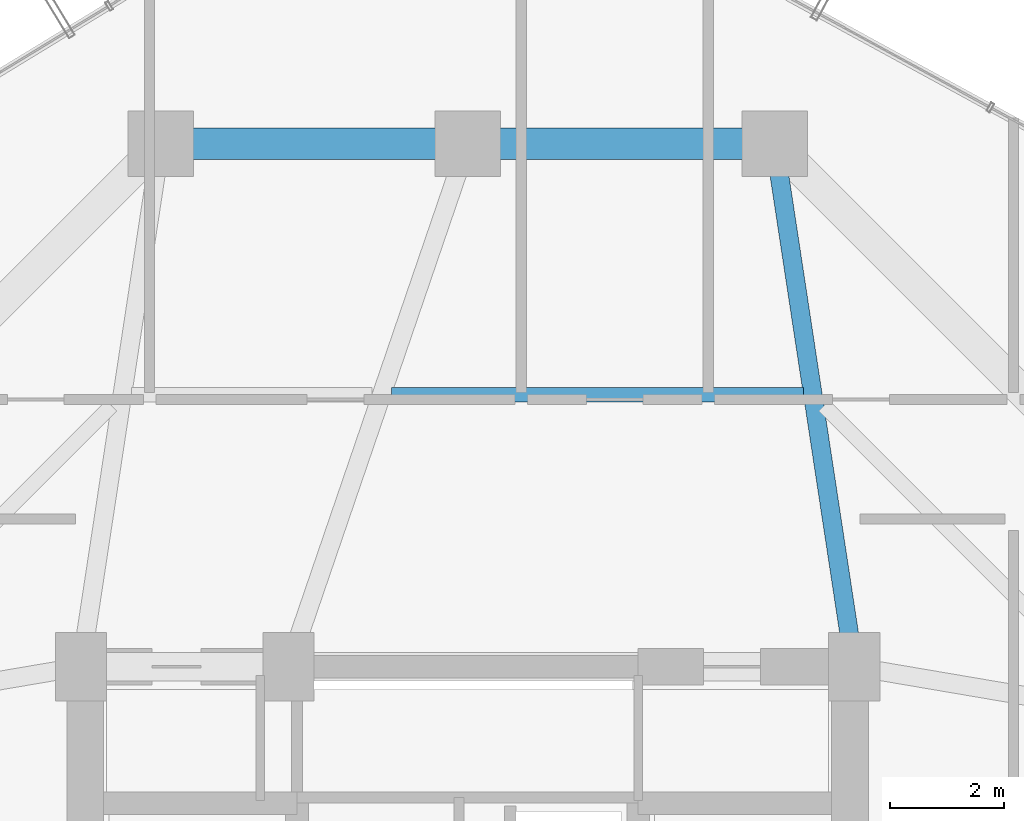
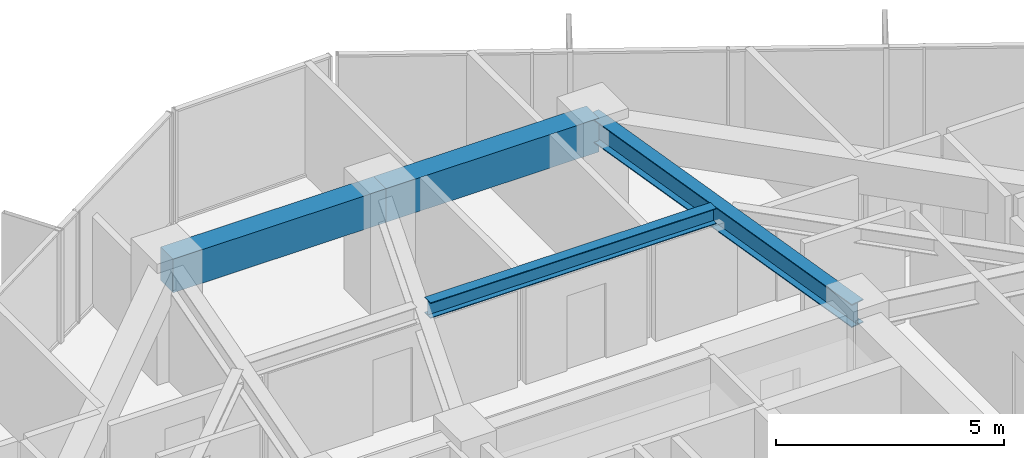
# One storey, part 20 of 31: 4 beams.
"""IFC4 building model written with IfcOpenShell, lengths in metres."""

import ifcopenshell
import ifcopenshell.guid

model = None  # the IFC model being written
_history = None  # IfcOwnerHistory: only IFC2X3 demands one
_inside = {}  # id of a spatial element -> (the spatial element, [elements in it])
_under = {}  # id of a project, library or spatial element -> (it, [spatial elements below it])
_declared = {}  # id of a project -> (the project, [libraries it declares])
_typed = {}  # id of a type object -> (the type object, [elements of that type])
_made_of = {}  # id of a material, layer set ... -> (it, [elements and type objects made of it])


def new_model(schema):
    """Start an empty IFC model of exactly this schema.

    Asked for "IFC4X3", IfcOpenShell would pick the latest addendum, in which some entities
    have other attributes; the version numbers below select the first issue.
    IFC2X3 requires an IfcOwnerHistory on every rooted entity: one is made here for all.
    """
    global model, _history
    if schema == "IFC4X3":
        model = ifcopenshell.file(schema_version=(4, 3, 0, 0))
    else:
        model = ifcopenshell.file(schema=schema)
    _inside.clear()
    _under.clear()
    _declared.clear()
    _typed.clear()
    _made_of.clear()
    _history = None
    if model.schema == "IFC2X3":
        org = make("IfcOrganization", Name="unknown")
        user = make(
            "IfcPersonAndOrganization",
            ThePerson=make("IfcPerson", FamilyName="unknown"),
            TheOrganization=org,
        )
        app = make(
            "IfcApplication",
            ApplicationDeveloper=org,
            Version="unknown",
            ApplicationFullName="unknown",
            ApplicationIdentifier="unknown",
        )
        _history = make(
            "IfcOwnerHistory",
            OwningUser=user,
            OwningApplication=app,
            ChangeAction="ADDED",
            CreationDate=0,
        )
    return model


def make(cls, **values):
    """One entity of the class cls with the attributes given. An attribute that is None is left unset."""
    return model.create_entity(
        cls, **{name: value for name, value in values.items() if value is not None}
    )


def rooted(cls, **values):
    """An entity with a GlobalId (a new one), such as an element, a storey or a relation."""
    return make(cls, GlobalId=ifcopenshell.guid.new(), OwnerHistory=_history, **values)


def si_unit(unit_type, name, prefix=None):
    """IfcSIUnit, for example si_unit("LENGTHUNIT", "METRE", prefix="MILLI")."""
    return make("IfcSIUnit", UnitType=unit_type, Prefix=prefix, Name=name)


def assignment(units):
    """IfcUnitAssignment: the units of a project."""
    return None if units is None else make("IfcUnitAssignment", Units=units)


def point(xyz):
    """IfcCartesianPoint."""
    return None if xyz is None else make("IfcCartesianPoint", Coordinates=xyz)


def direction(xyz):
    """IfcDirection."""
    return None if xyz is None else make("IfcDirection", DirectionRatios=xyz)


def frame(location, z_axis=None, x_axis=None):
    """IfcAxis2Placement3D, a coordinate frame: its origin and axes. An axis left out is left unset."""
    return make(
        "IfcAxis2Placement3D",
        Location=point(location),
        Axis=direction(z_axis),
        RefDirection=direction(x_axis),
    )


def frame_2d(location, x_axis=None):
    """IfcAxis2Placement2D, a coordinate frame in the plane: its origin and x axis."""
    return make(
        "IfcAxis2Placement2D", Location=point(location), RefDirection=direction(x_axis)
    )


def origin():
    """The frame at (0, 0, 0) with its axes left unset."""
    return frame((0.0, 0.0, 0.0))


def origin_2d():
    """The frame at (0, 0) in the plane with its x axis left unset."""
    return frame_2d((0.0, 0.0))


def place(relative_to, where):
    """IfcLocalPlacement: puts the frame where relative to a parent placement (None: the world)."""
    return make(
        "IfcLocalPlacement", PlacementRelTo=relative_to, RelativePlacement=where
    )


def context(
    kind, dimensions, precision=None, world=None, true_north=None, identifier=None
):
    """IfcGeometricRepresentationContext, for example the 3D "Model" context."""
    return make(
        "IfcGeometricRepresentationContext",
        ContextIdentifier=identifier,
        ContextType=kind,
        CoordinateSpaceDimension=dimensions,
        Precision=precision,
        WorldCoordinateSystem=world,
        TrueNorth=true_north,
    )


def subcontext(parent, identifier, kind, view, scale=None):
    """IfcGeometricRepresentationSubContext, for example "Body" below "Model"."""
    return make(
        "IfcGeometricRepresentationSubContext",
        ContextIdentifier=identifier,
        ContextType=kind,
        ParentContext=parent,
        TargetScale=scale,
        TargetView=view,
    )


def project(units=None, contexts=None):
    """IfcProject with its units and contexts."""
    return rooted(
        "IfcProject",
        Name="project",
        RepresentationContexts=contexts,
        UnitsInContext=assignment(units),
    )


def spatial(cls, under=None, at=None, **own):
    """A site, building, storey or space (cls), placed at a placement, below another one or the project."""
    s = rooted(cls, ObjectPlacement=at, **own)
    if under is not None:
        _under.setdefault(under.id(), (under, []))[1].append(s)
    return s


def profile(cls, at=None, kind="AREA", **sizes):
    """A parametric profile (cls). Its sizes go by their IFC names, for example OverallWidth=200.0."""
    return make(cls, ProfileType=kind, Position=at, **sizes)


def rectangle(**sizes):
    """IfcRectangleProfileDef."""
    return profile("IfcRectangleProfileDef", **sizes)


def i_section(**sizes):
    """IfcIShapeProfileDef."""
    return profile("IfcIShapeProfileDef", **sizes)


def extrude(swept, where, along, depth):
    """IfcExtrudedAreaSolid: the profile swept, set in the frame where, extruded along a direction by depth."""
    return make(
        "IfcExtrudedAreaSolid",
        SweptArea=swept,
        Position=where,
        ExtrudedDirection=direction(along),
        Depth=depth,
    )


def shape(context_of_items, identifier, shape_type, items):
    """IfcShapeRepresentation: the items that make up one representation, for example the "Body"."""
    return make(
        "IfcShapeRepresentation",
        ContextOfItems=context_of_items,
        RepresentationIdentifier=identifier,
        RepresentationType=shape_type,
        Items=items,
    )


def material(Name=None, Category=None):
    """IfcMaterial."""
    return make("IfcMaterial", Name=Name, Category=Category)


def material_profile(
    of_material, cross_section, Name=None, Category=None, Priority=None
):
    """IfcMaterialProfile: a cross section and its material."""
    return make(
        "IfcMaterialProfile",
        Name=Name,
        Material=of_material,
        Profile=cross_section,
        Priority=Priority,
        Category=Category,
    )


def profile_set(profiles, Name=None, composite=None):
    """IfcMaterialProfileSet."""
    return make(
        "IfcMaterialProfileSet",
        Name=Name,
        MaterialProfiles=profiles,
        CompositeProfile=composite,
    )


def made_of(thing, what):
    """Note that an element or type object is made of a material, layer set ...; save() writes the relation."""
    if what is not None:
        _made_of.setdefault(what.id(), (what, []))[1].append(thing)
    return thing


def type_object(cls, material=None, **own):
    """A type object (cls), such as IfcWallType, which elements share."""
    return made_of(rooted(cls, **own), material)


def element(
    cls,
    number,
    at=None,
    inside=None,
    cuts=None,
    type_object=None,
    material=None,
    context=None,
    identifier="Body",
    shape_type=None,
    held_by="IfcProductDefinitionShape",
    body=None,
    shapes=None,
    **own,
):
    """One element of the class cls, such as IfcWall. Its Tag is "e" and its number.

    at: its placement. inside: the storey or other place that contains it. cuts: it is an
    opening in that element (IfcRelVoidsElement). A single representation is given by context,
    identifier, shape_type and body (its items); several are given by shapes. held_by: the class
    of the entity that holds the representations. save() writes the other relations.
    """
    e = rooted(cls, Tag="e%d" % number, ObjectPlacement=at, **own)
    if body is not None:
        shapes = [shape(context, identifier, shape_type, body)]
    if shapes is not None:
        e.Representation = make(held_by, Representations=shapes)
    if inside is not None:
        _inside.setdefault(inside.id(), (inside, []))[1].append(e)
    if cuts is not None:
        rooted(
            "IfcRelVoidsElement", RelatingBuildingElement=cuts, RelatedOpeningElement=e
        )
    if type_object is not None:
        _typed.setdefault(type_object.id(), (type_object, []))[1].append(e)
    return made_of(e, material)


def aggregate(whole, parts):
    """IfcRelAggregates: a whole, such as a stair, and the parts it consists of."""
    return rooted("IfcRelAggregates", RelatingObject=whole, RelatedObjects=parts)


def save(model, path):
    """Write the relations noted so far, then the file.

    IfcRelAggregates (storeys below a building ...), IfcRelContainedInSpatialStructure (elements
    in a storey), IfcRelDefinesByType, IfcRelAssociatesMaterial and IfcRelDeclares: one each for
    every whole, place, type object, material and project.
    """
    for whole, parts in _under.values():
        aggregate(whole, parts)
    for where, things in _inside.values():
        rooted(
            "IfcRelContainedInSpatialStructure",
            RelatedElements=things,
            RelatingStructure=where,
        )
    for kind, things in _typed.values():
        rooted("IfcRelDefinesByType", RelatedObjects=things, RelatingType=kind)
    for what, things in _made_of.values():
        rooted("IfcRelAssociatesMaterial", RelatedObjects=things, RelatingMaterial=what)
    for by, libraries in _declared.values():
        rooted("IfcRelDeclares", RelatingContext=by, RelatedDefinitions=libraries)
    model.write(path)


model = new_model("IFC4")

# Units and contexts
model_context = context("Model", 3, precision=1e-05, world=origin(), true_north=direction((0.0, 1.0)))
body_context = subcontext(model_context, "Body", "Model", "MODEL_VIEW")
ifc_project = project(units=[si_unit("LENGTHUNIT", "METRE"), si_unit("AREAUNIT", "SQUARE_METRE"), si_unit("VOLUMEUNIT", "CUBIC_METRE"), si_unit("PLANEANGLEUNIT", "RADIAN"), si_unit("MASSUNIT", "GRAM", prefix="KILO")], contexts=[model_context])

# Site, building, storey
site_placement = place(None, origin())
site = spatial("IfcSite", under=ifc_project, at=site_placement, CompositionType="ELEMENT")
building_placement = place(site_placement, origin())
building = spatial("IfcBuilding", under=site, at=building_placement, Name="Veraguas Prism Commons", CompositionType="ELEMENT")
storey_placement = place(building_placement, frame((0.0, 0.0, 132.75)))
storey = spatial("IfcBuildingStorey", under=building, at=storey_placement, Name="L37", CompositionType="ELEMENT", Elevation=132.75)

# Beams
ifc_material_1 = material(Name="Steel ASTM A992 Grade 50", Category="steel")
ifc_material_profile_1 = material_profile(ifc_material_1, i_section(OverallWidth=0.260986328125, OverallDepth=0.419921875, WebThickness=0.01171875, FlangeThickness=0.019287109375, at=origin_2d()), Name="W410X114")
ifc_profile_set_1 = profile_set([ifc_material_profile_1], Name="Steel ASTM A992 Grade 50")
beam_type_1 = type_object("IfcBeamType", Name="Lower Floor Joist W410x114", PredefinedType="JOIST", material=ifc_profile_set_1)
beam_1_placement = place(storey_placement, frame((29.908203125, 35.783935546875, 2.7900390625), z_axis=(-1.0, 0.0, 0.0), x_axis=(0.0, -1.0, 0.0)))
element("IfcBeam", 1, at=beam_1_placement, inside=storey, type_object=beam_type_1, Name="Composite Floor Joist L37-JS04", PredefinedType="JOIST", context=body_context, shape_type="SweptSolid", body=[
    extrude(i_section(OverallWidth=0.260986328125, OverallDepth=0.419921875, WebThickness=0.01171875, FlangeThickness=0.019287109375, at=origin_2d()), origin(), (0.0, 0.0, 1.0), 7.2490234375),
])
ifc_material_2 = material(Name="Concrete C50/60", Category="concrete")
ifc_material_profile_2 = material_profile(ifc_material_2, rectangle(XDim=0.550048828125, YDim=0.89990234375, at=origin_2d()), Name="RC550X900")
ifc_profile_set_2 = profile_set([ifc_material_profile_2], Name="Concrete C50/60")
beam_type_2 = type_object("IfcBeamType", Name="Perimeter Spandrel Lower RC 550x900", PredefinedType="SPANDREL", material=ifc_profile_set_2)
for number, where, z_axis, x_axis, name in (
    (2, (29.39990234375, 40.199951171875, 2.550048828125), (-1.0, 0.0, 0.0), (0.0, -1.0, 0.0), "Perimeter Spandrel Beam L37-SP04"),
    (3, (24.0, 40.199951171875, 2.550048828125), (-1.0, 0.0, 0.0), (0.0, -1.0, 0.0), "Perimeter Spandrel Beam L37-SP05"),
):
    element("IfcBeam", number, at=place(storey_placement, frame(where, z_axis=z_axis, x_axis=x_axis)), inside=storey, type_object=beam_type_2, Name=name, PredefinedType="SPANDREL", context=body_context, shape_type="SweptSolid", body=[
        extrude(rectangle(XDim=0.550048828125, YDim=0.89990234375, at=origin_2d()), origin(), (0.0, 0.0, 1.0), 5.39990234375),
    ])
ifc_material_profile_3 = material_profile(ifc_material_1, i_section(OverallWidth=0.327880859375, OverallDepth=0.6220703125, WebThickness=0.015380859375, FlangeThickness=0.0244140625, at=origin_2d()), Name="W610X195")
ifc_profile_set_3 = profile_set([ifc_material_profile_3], Name="Steel ASTM A992 Grade 50")
beam_type_3 = type_object("IfcBeamType", Name="Zone 2 Radial Girder W610x195", PredefinedType="BEAM", material=ifc_profile_set_3)
beam_2_placement = place(storey_placement, frame((29.39990234375, 40.199951171875, 2.68896484375), z_axis=(0.150458162136, -0.98861637729, 0.0), x_axis=(0.98861637729, 0.150458162136, 0.0)))
element("IfcBeam", 4, at=beam_2_placement, inside=storey, type_object=beam_type_3, Name="Radial Floor Girder L37-RD04", PredefinedType="BEAM", context=body_context, shape_type="SweptSolid", body=[
    extrude(i_section(OverallWidth=0.327880859375, OverallDepth=0.6220703125, WebThickness=0.015380859375, FlangeThickness=0.0244140625, at=origin_2d()), origin(), (0.0, 0.0, 1.0), 9.305908203125),
])

save(model, "model.ifc")
